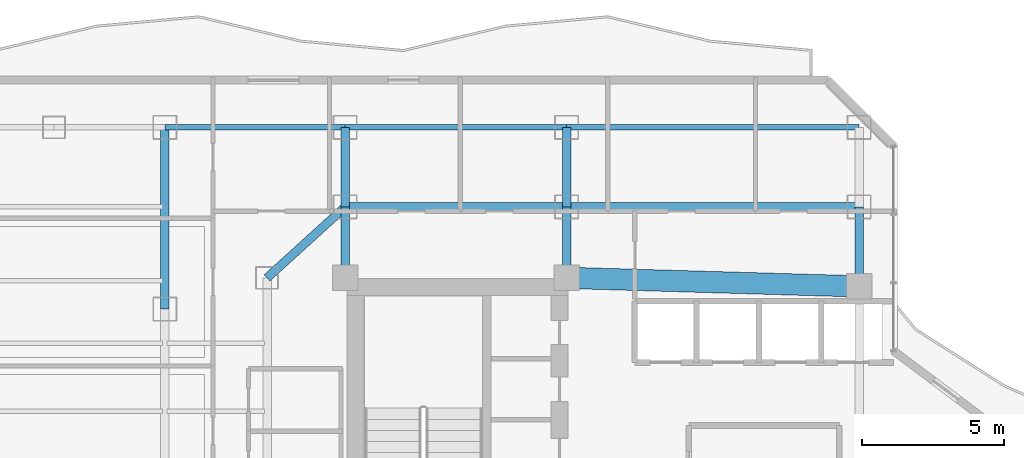
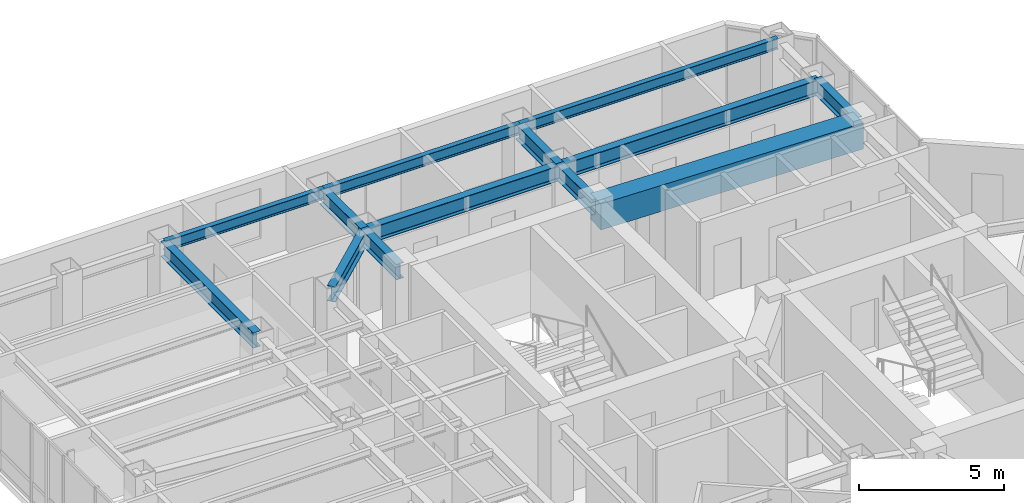
# One storey, part 18 of 29: 13 beams.
"""IFC4 building model written with IfcOpenShell, lengths in metres."""

from ifc_helpers import new_model, si_unit, direction, frame, origin, origin_2d, place, context, subcontext, project, spatial, rectangle, i_section, extrude, material, material_profile, profile_set, type_object, element, save


model = new_model("IFC4")

# Units and contexts
model_context = context("Model", 3, precision=1e-05, world=origin(), true_north=direction((0.0, 1.0)))
body_context = subcontext(model_context, "Body", "Model", "MODEL_VIEW")
ifc_project = project(units=[si_unit("LENGTHUNIT", "METRE"), si_unit("AREAUNIT", "SQUARE_METRE"), si_unit("VOLUMEUNIT", "CUBIC_METRE"), si_unit("PLANEANGLEUNIT", "RADIAN"), si_unit("MASSUNIT", "GRAM", prefix="KILO")], contexts=[model_context])

# Site, building, storey
site_placement = place(None, origin())
site = spatial("IfcSite", under=ifc_project, at=site_placement, CompositionType="ELEMENT")
building_placement = place(site_placement, origin())
building = spatial("IfcBuilding", under=site, at=building_placement, Name="Hatsunagi Terrace Concourse", CompositionType="ELEMENT")
storey_placement = place(building_placement, frame((0.0, 0.0, 149.25)))
storey = spatial("IfcBuildingStorey", under=building, at=storey_placement, Name="L39", CompositionType="ELEMENT", Elevation=149.25)

# Beams
ifc_material_1 = material(Name="Concrete Fc48", Category="concrete")
ifc_material_profile_1 = material_profile(ifc_material_1, rectangle(XDim=0.75, YDim=1.10009765625, at=origin_2d()), Name="RC-750x1100")
ifc_profile_set_1 = profile_set([ifc_material_profile_1], Name="Concrete Fc48")
beam_type_1 = type_object("IfcBeamType", Name="CoreCouplingBeam_RC_750x1100", PredefinedType="BEAM", material=ifc_profile_set_1)
beam_1_placement = place(storey_placement, frame((33.35009765625, 43.300048828125, 2.800048828125), z_axis=(0.999575947545, -0.029119153303, 0.0), x_axis=(0.029119153303, 0.999575947545, 0.0)))
element("IfcBeam", 1, at=beam_1_placement, inside=storey, type_object=beam_type_1, Name="Beam CB-02 CB-L39-2", PredefinedType="BEAM", context=body_context, shape_type="SweptSolid", body=[
    extrude(rectangle(XDim=0.75, YDim=1.10009765625, at=origin_2d()), origin(), (0.0, 0.0, 1.0), 10.30419921875),
])
ifc_material_2 = material(Name="Steel SN490B", Category="steel")
ifc_material_profile_2 = material_profile(ifc_material_2, i_section(OverallWidth=0.300048828125, OverallDepth=0.64990234375, WebThickness=0.012939453125, FlangeThickness=0.02197265625, FilletRadius=0.01806640625, at=origin_2d()), Name="H-650x300x13x22")
ifc_profile_set_2 = profile_set([ifc_material_profile_2], Name="Steel SN490B")
beam_type_2 = type_object("IfcBeamType", Name="OfficeLowGirder_H_650x300", PredefinedType="BEAM", material=ifc_profile_set_2)
for number, where, z_axis, x_axis, name in (
    (2, (25.550048828125, 43.300048828125, 3.02490234375), (0.0, 1.0, 0.0), (-1.0, 0.0, 0.0), "Beam G-05 BM-L39-CN1"),
    (3, (33.35009765625, 43.300048828125, 3.02490234375), (0.0, 1.0, 0.0), (-1.0, 0.0, 0.0), "Beam G-05 BM-L39-CN2"),
):
    element("IfcBeam", number, at=place(storey_placement, frame(where, z_axis=z_axis, x_axis=x_axis)), inside=storey, type_object=beam_type_2, Name=name, PredefinedType="BEAM", context=body_context, shape_type="SweptSolid", body=[
        extrude(i_section(OverallWidth=0.300048828125, OverallDepth=0.64990234375, WebThickness=0.012939453125, FlangeThickness=0.02197265625, FilletRadius=0.01806640625, at=origin_2d()), origin(), (0.0, 0.0, 1.0), 2.5),
    ])
beam_2_placement = place(storey_placement, frame((43.64990234375, 43.0, 3.02490234375), z_axis=(0.0, 1.0, 0.0), x_axis=(-1.0, 0.0, 0.0)))
element("IfcBeam", 4, at=beam_2_placement, inside=storey, type_object=beam_type_2, Name="Beam G-05 BM-L39-CN3", PredefinedType="BEAM", context=body_context, shape_type="SweptSolid", body=[
    extrude(i_section(OverallWidth=0.300048828125, OverallDepth=0.64990234375, WebThickness=0.012939453125, FlangeThickness=0.02197265625, FilletRadius=0.01806640625, at=origin_2d()), origin(), (0.0, 0.0, 1.0), 2.800048828125),
])
beam_3_placement = place(storey_placement, frame((25.550048828125, 45.800048828125, 3.02490234375), z_axis=(1.0, 0.0, 0.0), x_axis=(0.0, 1.0, 0.0)))
element("IfcBeam", 5, at=beam_3_placement, inside=storey, type_object=beam_type_2, Name="Beam G-05 BM-L39-CNEW1", PredefinedType="BEAM", context=body_context, shape_type="SweptSolid", body=[
    extrude(i_section(OverallWidth=0.300048828125, OverallDepth=0.64990234375, WebThickness=0.012939453125, FlangeThickness=0.02197265625, FilletRadius=0.01806640625, at=origin_2d()), origin(), (0.0, 0.0, 1.0), 7.800048828125),
])
beam_4_placement = place(storey_placement, frame((33.35009765625, 45.800048828125, 3.02490234375), z_axis=(1.0, 0.0, 0.0), x_axis=(0.0, 1.0, 0.0)))
element("IfcBeam", 6, at=beam_4_placement, inside=storey, type_object=beam_type_2, Name="Beam G-05 BM-L39-CNEW2", PredefinedType="BEAM", context=body_context, shape_type="SweptSolid", body=[
    extrude(i_section(OverallWidth=0.300048828125, OverallDepth=0.64990234375, WebThickness=0.012939453125, FlangeThickness=0.02197265625, FilletRadius=0.01806640625, at=origin_2d()), origin(), (0.0, 0.0, 1.0), 10.2998046875),
])
for number, where, z_axis, x_axis, name in (
    (7, (25.550048828125, 45.800048828125, 3.02490234375), (0.0, 1.0, 0.0), (-1.0, 0.0, 0.0), "Beam G-05 BM-L39-KN-WN4"),
    (8, (33.35009765625, 45.800048828125, 3.02490234375), (0.0, 1.0, 0.0), (-1.0, 0.0, 0.0), "Beam G-05 BM-L39-KN-WN5"),
):
    element("IfcBeam", number, at=place(storey_placement, frame(where, z_axis=z_axis, x_axis=x_axis)), inside=storey, type_object=beam_type_2, Name=name, PredefinedType="BEAM", context=body_context, shape_type="SweptSolid", body=[
        extrude(i_section(OverallWidth=0.300048828125, OverallDepth=0.64990234375, WebThickness=0.012939453125, FlangeThickness=0.02197265625, FilletRadius=0.01806640625, at=origin_2d()), origin(), (0.0, 0.0, 1.0), 2.800048828125),
    ])
beam_5_placement = place(storey_placement, frame((22.800048828125, 43.300048828125, 3.02490234375), z_axis=(0.739940073396, 0.672672793996, 0.0), x_axis=(-0.672672793996, 0.739940073396, 0.0)))
element("IfcBeam", 9, at=beam_5_placement, inside=storey, type_object=beam_type_2, Name="Beam G-05 BM-L39-CWEW-N", PredefinedType="BEAM", context=body_context, shape_type="SweptSolid", body=[
    extrude(i_section(OverallWidth=0.300048828125, OverallDepth=0.64990234375, WebThickness=0.012939453125, FlangeThickness=0.02197265625, FilletRadius=0.01806640625, at=origin_2d()), origin(), (0.0, 0.0, 1.0), 3.716552734375),
])
beam_6_placement = place(storey_placement, frame((19.199951171875, 42.199951171875, 3.02490234375), z_axis=(0.0, 1.0, 0.0), x_axis=(-1.0, 0.0, 0.0)))
element("IfcBeam", 10, at=beam_6_placement, inside=storey, type_object=beam_type_2, Name="Beam G-05 BM-L39-NS-19-42", PredefinedType="BEAM", context=body_context, shape_type="SweptSolid", body=[
    extrude(i_section(OverallWidth=0.300048828125, OverallDepth=0.64990234375, WebThickness=0.012939453125, FlangeThickness=0.02197265625, FilletRadius=0.01806640625, at=origin_2d()), origin(), (0.0, 0.0, 1.0), 6.400146484375),
])
ifc_material_3 = material(Name="Steel SN490B", Category="steel")
ifc_material_profile_3 = material_profile(ifc_material_3, i_section(OverallWidth=0.199951171875, OverallDepth=0.449951171875, WebThickness=0.009033203125, FlangeThickness=0.013916015625, FilletRadius=0.01611328125, at=origin_2d()), Name="H-450x200x9x14")
ifc_profile_set_3 = profile_set([ifc_material_profile_3], Name="Steel SN490B")
beam_type_3 = type_object("IfcBeamType", Name="PerimeterSpandrel_H_450x200", PredefinedType="SPANDREL", material=ifc_profile_set_3)
beam_7_placement = place(storey_placement, frame((19.199951171875, 48.60009765625, 3.125), z_axis=(1.0, 0.0, 0.0), x_axis=(0.0, 1.0, 0.0)))
element("IfcBeam", 11, at=beam_7_placement, inside=storey, type_object=beam_type_3, Name="Beam SP-02 BM-L39-WN-19", PredefinedType="SPANDREL", context=body_context, shape_type="SweptSolid", body=[
    extrude(i_section(OverallWidth=0.199951171875, OverallDepth=0.449951171875, WebThickness=0.009033203125, FlangeThickness=0.013916015625, FilletRadius=0.01611328125, at=origin_2d()), origin(), (0.0, 0.0, 1.0), 6.35009765625),
])
beam_8_placement = place(storey_placement, frame((25.550048828125, 48.60009765625, 3.125), z_axis=(1.0, 0.0, 0.0), x_axis=(0.0, 1.0, 0.0)))
element("IfcBeam", 12, at=beam_8_placement, inside=storey, type_object=beam_type_3, Name="Beam SP-02 BM-L39-WN-25", PredefinedType="SPANDREL", context=body_context, shape_type="SweptSolid", body=[
    extrude(i_section(OverallWidth=0.199951171875, OverallDepth=0.449951171875, WebThickness=0.009033203125, FlangeThickness=0.013916015625, FilletRadius=0.01611328125, at=origin_2d()), origin(), (0.0, 0.0, 1.0), 7.800048828125),
])
beam_9_placement = place(storey_placement, frame((33.35009765625, 48.60009765625, 3.125), z_axis=(1.0, 0.0, 0.0), x_axis=(0.0, 1.0, 0.0)))
element("IfcBeam", 13, at=beam_9_placement, inside=storey, type_object=beam_type_3, Name="Beam SP-02 BM-L39-WN-33", PredefinedType="SPANDREL", context=body_context, shape_type="SweptSolid", body=[
    extrude(i_section(OverallWidth=0.199951171875, OverallDepth=0.449951171875, WebThickness=0.009033203125, FlangeThickness=0.013916015625, FilletRadius=0.01611328125, at=origin_2d()), origin(), (0.0, 0.0, 1.0), 10.2998046875),
])

save(model, "model.ifc")
